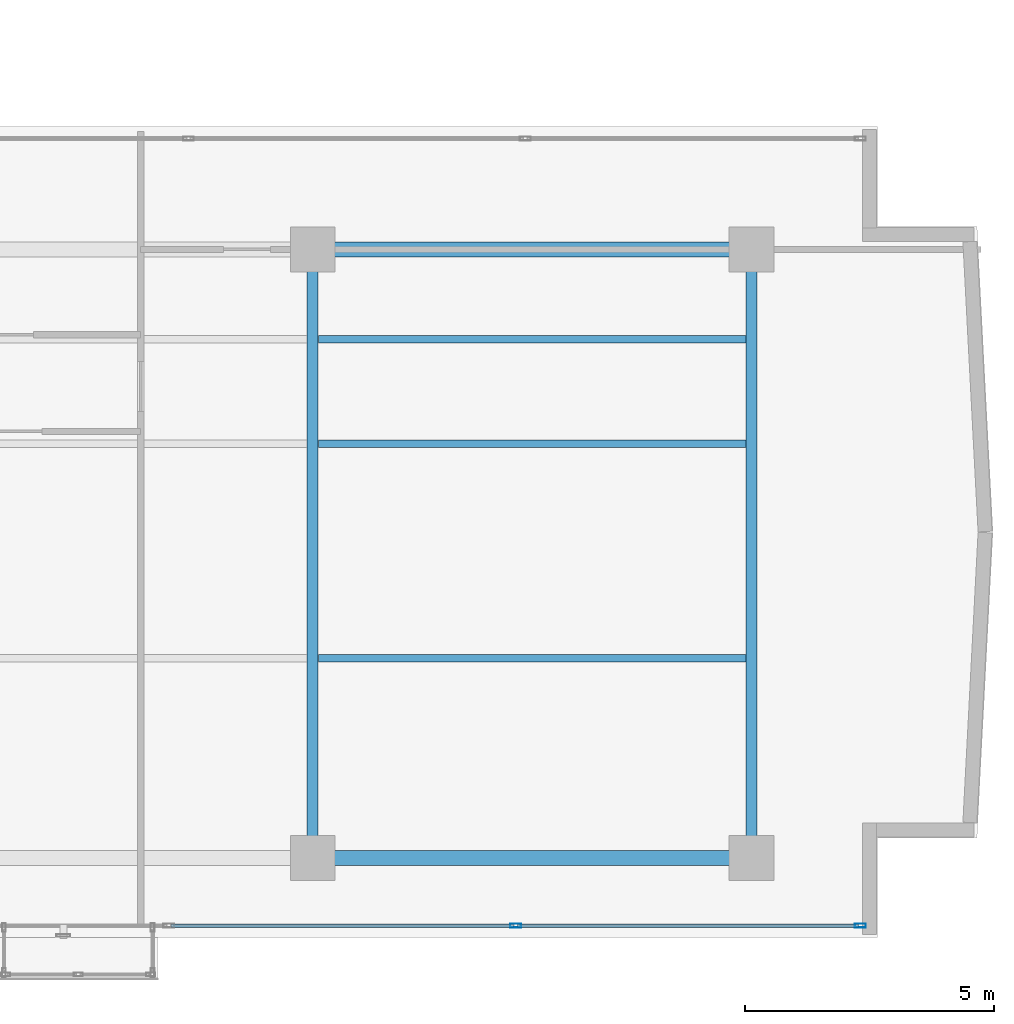
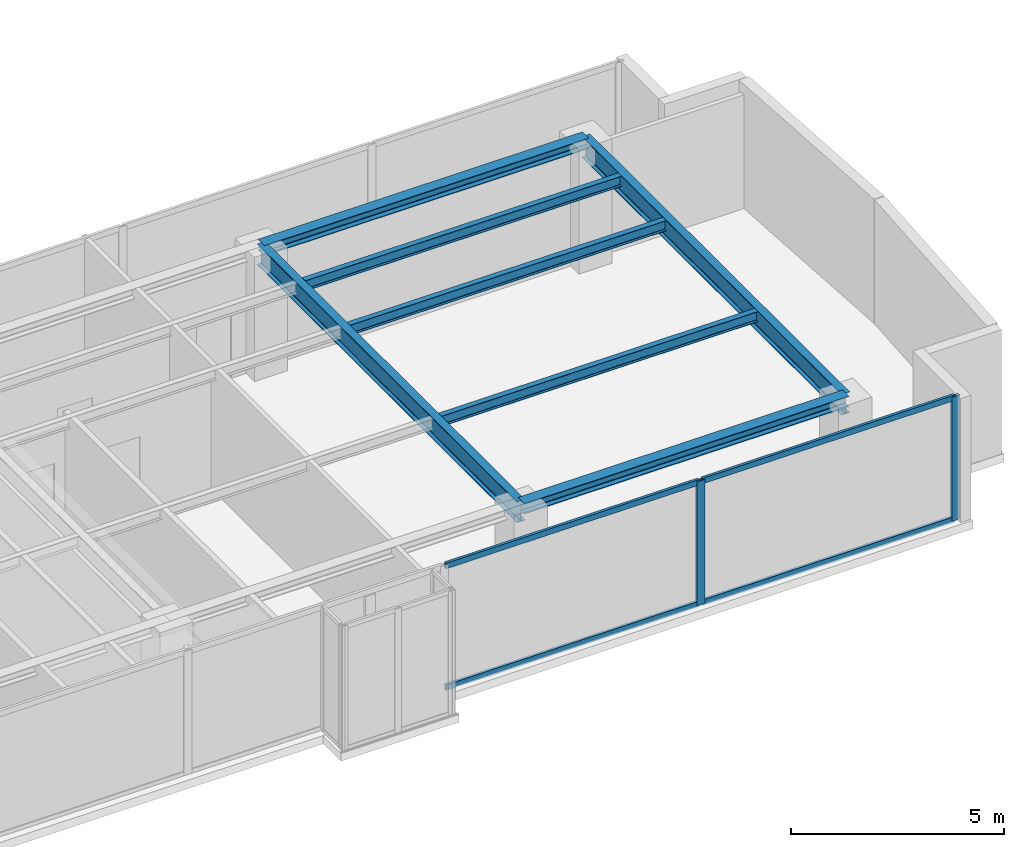
# One storey, part 11 of 22: 7 beams, 6 members, 1 element without a shape of its own.
"""IFC4 building model written with IfcOpenShell, lengths in metres."""

from ifc_helpers import new_model, si_unit, direction, frame, origin, origin_with_axes, origin_2d, place, context, subcontext, project, spatial, hollow_rectangle, i_section, extrude, source, transform, mapped, material, layer, layer_set, material_profile, profile_set, type_object, element, aggregate, save


model = new_model("IFC4")

# Units and contexts
model_context = context("Model", 3, precision=1e-05, world=origin(), true_north=direction((0.0, 1.0)))
body_context = subcontext(model_context, "Body", "Model", "MODEL_VIEW")
ifc_project = project(units=[si_unit("LENGTHUNIT", "METRE"), si_unit("AREAUNIT", "SQUARE_METRE"), si_unit("VOLUMEUNIT", "CUBIC_METRE"), si_unit("PLANEANGLEUNIT", "RADIAN"), si_unit("MASSUNIT", "GRAM", prefix="KILO")], contexts=[model_context])

# Site, building, storey
site_placement = place(None, origin())
site = spatial("IfcSite", under=ifc_project, at=site_placement, CompositionType="ELEMENT")
building_placement = place(site_placement, origin())
building = spatial("IfcBuilding", under=site, at=building_placement, Name="Kolvaren Waterfront Exchange", CompositionType="ELEMENT")
storey_placement = place(building_placement, frame((0.0, 0.0, 312.199951171875)))
storey = spatial("IfcBuildingStorey", under=building, at=storey_placement, Name="L80", CompositionType="ELEMENT", Elevation=312.199951171875)

# Beams
ifc_material_1 = material(Name="Steel S355", Category="steel")
ifc_material_profile_1 = material_profile(ifc_material_1, i_section(OverallWidth=0.300048828125, OverallDepth=0.300048828125, WebThickness=0.010986328125, FlangeThickness=0.01904296875, FilletRadius=0.027099609375, at=origin_2d()), Name="HEB300")
ifc_profile_set_1 = profile_set([ifc_material_profile_1], Name="Steel S355")
beam_type_1 = type_object("IfcBeamType", Name="STR-BM-HEB300", PredefinedType="SPANDREL", material=ifc_profile_set_1)
for number, where, z_axis, x_axis, name in (
    (1, (36.800048828125, 5.199951171875, 3.41015625), (1.0, 0.0, 0.0), (0.0, 1.0, 0.0), "L80 east-arm spandrel S3"),
    (2, (36.800048828125, 17.39990234375, 3.41015625), (1.0, 0.0, 0.0), (0.0, 1.0, 0.0), "L80 east-arm spandrel N3"),
):
    element("IfcBeam", number, at=place(storey_placement, frame(where, z_axis=z_axis, x_axis=x_axis)), inside=storey, type_object=beam_type_1, Name=name, PredefinedType="SPANDREL", context=body_context, shape_type="SweptSolid", body=[
        extrude(i_section(OverallWidth=0.300048828125, OverallDepth=0.300048828125, WebThickness=0.010986328125, FlangeThickness=0.01904296875, FilletRadius=0.027099609375, at=origin_2d()), origin(), (0.0, 0.0, 1.0), 8.800048828125),
    ])
ifc_material_profile_2 = material_profile(ifc_material_1, i_section(OverallWidth=0.14990234375, OverallDepth=0.300048828125, WebThickness=0.007080078125, FlangeThickness=0.0107421875, FilletRadius=0.014892578125, at=origin_2d()), Name="IPE300")
ifc_profile_set_2 = profile_set([ifc_material_profile_2], Name="Steel S355")
beam_type_2 = type_object("IfcBeamType", Name="STR-BM-IPE300", PredefinedType="JOIST", material=ifc_profile_set_2)
for number, where, z_axis, x_axis, name in (
    (3, (36.912109375, 13.5, 3.41015625), (1.0, 0.0, 0.0), (0.0, 1.0, 0.0), "L80 east-arm composite joist 3A"),
    (4, (36.912109375, 15.60009765625, 3.41015625), (1.0, 0.0, 0.0), (0.0, 1.0, 0.0), "L80 east-arm composite joist 3C"),
    (5, (36.912109375, 9.199951171875, 3.41015625), (1.0, 0.0, 0.0), (0.0, 1.0, 0.0), "L80 east-arm composite joist 3B"),
):
    element("IfcBeam", number, at=place(storey_placement, frame(where, z_axis=z_axis, x_axis=x_axis)), inside=storey, type_object=beam_type_2, Name=name, PredefinedType="JOIST", context=body_context, shape_type="SweptSolid", body=[
        extrude(i_section(OverallWidth=0.14990234375, OverallDepth=0.300048828125, WebThickness=0.007080078125, FlangeThickness=0.0107421875, FilletRadius=0.014892578125, at=origin_2d()), origin(), (0.0, 0.0, 1.0), 8.575927734375),
    ])
ifc_material_profile_3 = material_profile(ifc_material_1, i_section(OverallWidth=0.219970703125, OverallDepth=0.60009765625, WebThickness=0.011962890625, FlangeThickness=0.01904296875, FilletRadius=0.02392578125, at=origin_2d()), Name="IPE600")
ifc_profile_set_3 = profile_set([ifc_material_profile_3], Name="Steel S355")
beam_type_3 = type_object("IfcBeamType", Name="STR-BM-IPE600", PredefinedType="BEAM", material=ifc_profile_set_3)
for number, where, z_axis, x_axis, name in (
    (6, (36.800048828125, 5.199951171875, 3.260009765625), (0.0, 1.0, 0.0), (-1.0, 0.0, 0.0), "L80 east-arm transverse girder X36"),
    (7, (45.60009765625, 5.199951171875, 3.260009765625), (0.0, 1.0, 0.0), (-1.0, 0.0, 0.0), "L80 east-arm transverse girder X45"),
):
    element("IfcBeam", number, at=place(storey_placement, frame(where, z_axis=z_axis, x_axis=x_axis)), inside=storey, type_object=beam_type_3, Name=name, PredefinedType="BEAM", context=body_context, shape_type="SweptSolid", body=[
        extrude(i_section(OverallWidth=0.219970703125, OverallDepth=0.60009765625, WebThickness=0.011962890625, FlangeThickness=0.01904296875, FilletRadius=0.02392578125, at=origin_2d()), origin(), (0.0, 0.0, 1.0), 12.199951171875),
    ])

# Curtain wall, members
ifc_material_2 = material(Name="Anodised bronze aluminium 6063-T6", Category="aluminium")
ifc_layer = layer(ifc_material_2, 0.219970703125, Name="Anodised bronze aluminium 6063-T6")
ifc_layer_set = layer_set([ifc_layer], Name="Anodised bronze aluminium 6063-T6")
curtain_wall_type = type_object("IfcCurtainWallType", Name="ARC-CW-SYS1", PredefinedType="USERDEFINED", material=ifc_layer_set)
curtain_wall_placement = place(storey_placement, origin())
curtain_wall = element("IfcCurtainWall", 8, at=curtain_wall_placement, inside=storey, type_object=curtain_wall_type, Name="L80 stick curtain wall CW1 (CW-L80-S)", ObjectType="STICK CURTAIN WALL", PredefinedType="USERDEFINED")
ifc_material_3 = material(Name="Anodised aluminium 6063-T6", Category="aluminium")
ifc_material_profile_4 = material_profile(ifc_material_3, hollow_rectangle(XDim=0.080078125, YDim=0.219970703125, WallThickness=0.0048828125, at=origin_2d()), Name="ALU-MUL-220x80x5")
ifc_profile_set_4 = profile_set([ifc_material_profile_4], Name="Anodised aluminium 6063-T6")
member_type_1 = type_object("IfcMemberType", Name="ARC-CWM-220", PredefinedType="MULLION", material=ifc_profile_set_4)
shared_shape_1 = source(origin_with_axes(), body_context, "Body", "SweptSolid", [
    extrude(hollow_rectangle(XDim=0.080078125, YDim=0.219970703125, WallThickness=0.0048828125, at=origin_2d()), origin(), (0.0, 0.0, 1.0), 3.56005859375),
])
member_1_placement = place(storey_placement, frame((40.86767578125, 3.840087890625, 0.0), z_axis=(0.0, 0.0, 1.0), x_axis=(0.0, 1.0, 0.0)))
member_1 = element("IfcMember", 9, at=member_1_placement, type_object=member_type_1, Name="CW1 mullion 6", PredefinedType="MULLION", context=body_context, shape_type="MappedRepresentation", body=[
    mapped(shared_shape_1, transform((0.0, 0.0, 0.0), x_axis=(1.0, 0.0, 0.0), y_axis=(0.0, 1.0, 0.0), z_axis=(0.0, 0.0, 1.0), scale=1.0)),
])
member_2_placement = place(storey_placement, frame((47.781005859375, 3.840087890625, 0.0), z_axis=(0.0, 0.0, 1.0), x_axis=(0.0, 1.0, 0.0)))
member_2 = element("IfcMember", 10, at=member_2_placement, type_object=member_type_1, Name="CW1 mullion 7", PredefinedType="MULLION", context=body_context, shape_type="MappedRepresentation", body=[
    mapped(shared_shape_1, transform((0.0, 0.0, 0.0), x_axis=(1.0, 0.0, 0.0), y_axis=(0.0, 1.0, 0.0), z_axis=(0.0, 0.0, 1.0), scale=1.0)),
])
ifc_material_profile_5 = material_profile(ifc_material_3, hollow_rectangle(XDim=0.074951171875, YDim=0.159912109375, WallThickness=0.00439453125, at=origin_2d()), Name="ALU-TRN-160x75x4.5")
ifc_profile_set_5 = profile_set([ifc_material_profile_5], Name="Anodised aluminium 6063-T6")
member_type_2 = type_object("IfcMemberType", Name="ARC-CWT-160", PredefinedType="USERDEFINED", material=ifc_profile_set_5)
shared_shape_2 = source(origin_with_axes(), body_context, "Body", "SweptSolid", [
    extrude(hollow_rectangle(XDim=0.074951171875, YDim=0.159912109375, WallThickness=0.00439453125, at=origin_2d()), origin(), (0.0, 0.0, 1.0), 6.87353515625),
])
member_3_placement = place(storey_placement, frame((33.9541015625, 3.840087890625, 0.03759765625), z_axis=(1.0, 0.0, 0.0), x_axis=(0.0, 1.0, 0.0)))
member_3 = element("IfcMember", 11, at=member_3_placement, type_object=member_type_2, Name="CW1 transom 5.1", ObjectType="TRANSOM", PredefinedType="USERDEFINED", context=body_context, shape_type="MappedRepresentation", body=[
    mapped(shared_shape_2, transform((0.0, 0.0, 0.0), x_axis=(1.0, 0.0, 0.0), y_axis=(0.0, 1.0, 0.0), z_axis=(0.0, 0.0, 1.0), scale=1.0)),
])
member_4_placement = place(storey_placement, frame((33.9541015625, 3.840087890625, 3.5224609375), z_axis=(1.0, 0.0, 0.0), x_axis=(0.0, 1.0, 0.0)))
member_4 = element("IfcMember", 12, at=member_4_placement, type_object=member_type_2, Name="CW1 transom 5.2", ObjectType="TRANSOM", PredefinedType="USERDEFINED", context=body_context, shape_type="MappedRepresentation", body=[
    mapped(shared_shape_2, transform((0.0, 0.0, 0.0), x_axis=(1.0, 0.0, 0.0), y_axis=(0.0, 1.0, 0.0), z_axis=(0.0, 0.0, 1.0), scale=1.0)),
])
shared_shape_3 = source(origin_with_axes(), body_context, "Body", "SweptSolid", [
    extrude(hollow_rectangle(XDim=0.074951171875, YDim=0.159912109375, WallThickness=0.00439453125, at=origin_2d()), origin(), (0.0, 0.0, 1.0), 6.833740234375),
])
member_5_placement = place(storey_placement, frame((40.907470703125, 3.840087890625, 0.03759765625), z_axis=(1.0, 0.0, 0.0), x_axis=(0.0, 1.0, 0.0)))
member_5 = element("IfcMember", 13, at=member_5_placement, type_object=member_type_2, Name="CW1 transom 6.1", ObjectType="TRANSOM", PredefinedType="USERDEFINED", context=body_context, shape_type="MappedRepresentation", body=[
    mapped(shared_shape_3, transform((0.0, 0.0, 0.0), x_axis=(1.0, 0.0, 0.0), y_axis=(0.0, 1.0, 0.0), z_axis=(0.0, 0.0, 1.0), scale=1.0)),
])
member_6_placement = place(storey_placement, frame((40.907470703125, 3.840087890625, 3.5224609375), z_axis=(1.0, 0.0, 0.0), x_axis=(0.0, 1.0, 0.0)))
member_6 = element("IfcMember", 14, at=member_6_placement, type_object=member_type_2, Name="CW1 transom 6.2", ObjectType="TRANSOM", PredefinedType="USERDEFINED", context=body_context, shape_type="MappedRepresentation", body=[
    mapped(shared_shape_3, transform((0.0, 0.0, 0.0), x_axis=(1.0, 0.0, 0.0), y_axis=(0.0, 1.0, 0.0), z_axis=(0.0, 0.0, 1.0), scale=1.0)),
])
aggregate(curtain_wall, [member_1, member_2, member_3, member_4, member_5, member_6])

save(model, "model.ifc")
